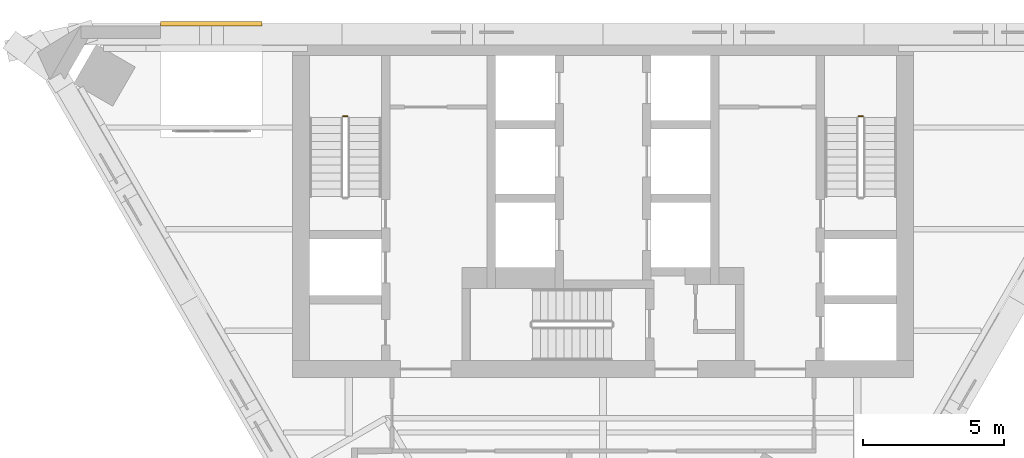
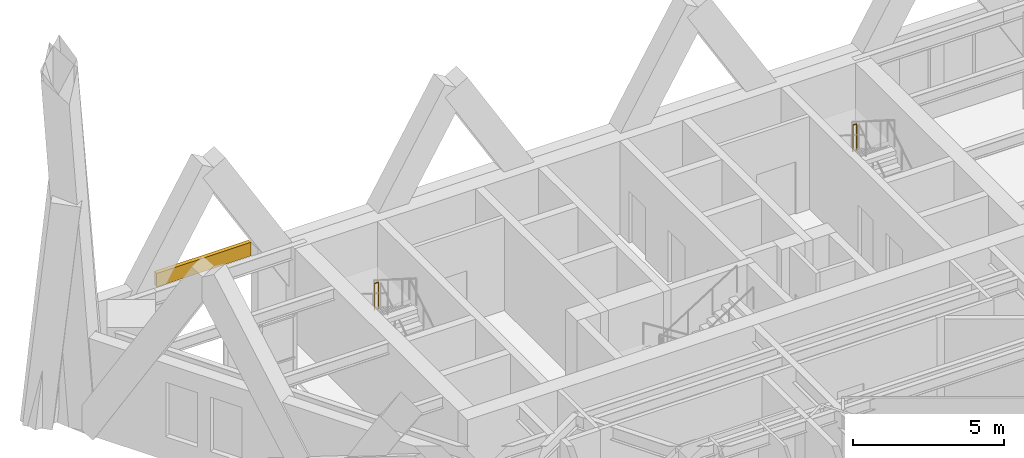
# One storey, part 9 of 9: 2 railings, 1 covering.
"""IFC4 building model written with IfcOpenShell, lengths in metres."""

from ifc_helpers import new_model, si_unit, direction, frame, origin, origin_2d, place, context, subcontext, project, spatial, polyline, circle, outline, extrude, material, layer, layer_set, type_object, element, save


model = new_model("IFC4")

# Units and contexts
model_context = context("Model", 3, precision=1e-05, world=origin(), true_north=direction((0.0, 1.0)))
body_context = subcontext(model_context, "Body", "Model", "MODEL_VIEW")
ifc_project = project(units=[si_unit("LENGTHUNIT", "METRE"), si_unit("AREAUNIT", "SQUARE_METRE"), si_unit("VOLUMEUNIT", "CUBIC_METRE"), si_unit("PLANEANGLEUNIT", "RADIAN"), si_unit("MASSUNIT", "GRAM", prefix="KILO")], contexts=[model_context])

# Site, building, storey
site_placement = place(None, origin())
site = spatial("IfcSite", under=ifc_project, at=site_placement, CompositionType="ELEMENT")
building_placement = place(site_placement, origin())
building = spatial("IfcBuilding", under=site, at=building_placement, Name="Aloe Facet Convention Tower", CompositionType="ELEMENT")
storey_placement = place(building_placement, frame((0.0, 0.0, 254.300048828125)))
storey = spatial("IfcBuildingStorey", under=building, at=storey_placement, Name="L62", CompositionType="ELEMENT", Elevation=254.300048828125)

# Railings
ifc_material_1 = material(Name="Steel S355 balustrade", Category="steel")
railing_type = type_object("IfcRailingType", Name="CR-RL-GUARD", PredefinedType="GUARDRAIL", material=ifc_material_1)
for number, where, name in (
    (1, (70.949951171875, 131.800048828125, 1.949951171875), "L62 ST1 stair guard 2"),
    (2, (89.199951171875, 131.800048828125, 1.949951171875), "L62 ST2 stair guard 2"),
):
    element("IfcRailing", number, at=place(storey_placement, frame(where)), inside=storey, type_object=railing_type, Name=name, PredefinedType="GUARDRAIL", context=body_context, shape_type="SweptSolid", body=[
        extrude(circle(Radius=0.02392578125, at=origin_2d()), frame((0.0, 0.0, 1.076171875), z_axis=(-1.0, 0.0, 0.0), x_axis=(0.0, -1.0, 0.0)), (0.0, 0.0, 1.0), 0.14990234375),
        extrude(circle(Radius=0.02099609375, at=origin_2d()), origin(), (0.0, 0.0, 1.0), 1.052001953125),
        extrude(circle(Radius=0.02099609375, at=origin_2d()), frame((-0.14990234375, 0.0, 0.0)), (0.0, 0.0, 1.0), 1.052001953125),
    ])

# Covering
ifc_material_2 = material(Name="Bronze oxide fascia sheet")
ifc_layer = layer(ifc_material_2, 0.14990234375)
ifc_layer_set = layer_set([ifc_layer], Name="EV-FASCIA-TERR")
covering_type = type_object("IfcCoveringType", Name="EV-FASCIA-TERR", PredefinedType="CLADDING", material=ifc_layer_set)
covering_placement = place(storey_placement, frame((0.0, 0.0, 3.199951171875)))
element("IfcCovering", 3, at=covering_placement, inside=storey, type_object=covering_type, Name="Terrace fascia T13 head", PredefinedType="CLADDING", context=body_context, shape_type="SweptSolid", body=[
    extrude(outline(polyline([(67.935302734375, 135.14990234375), (64.33544921875, 135.14990234375), (64.33544921875, 135.0), (67.935302734375, 135.0), (67.935302734375, 135.14990234375)])), origin(), (0.0, 0.0, 1.0), 0.550048828125),
])

save(model, "model.ifc")
